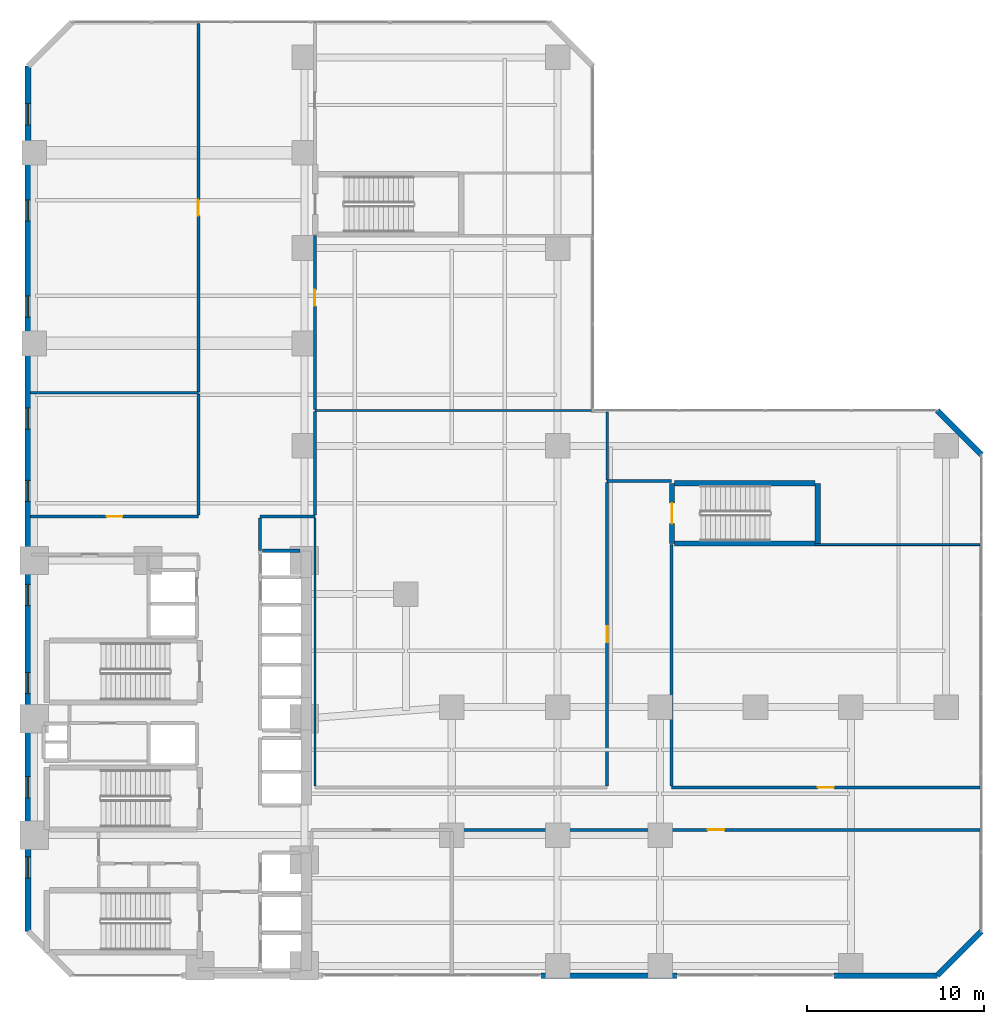
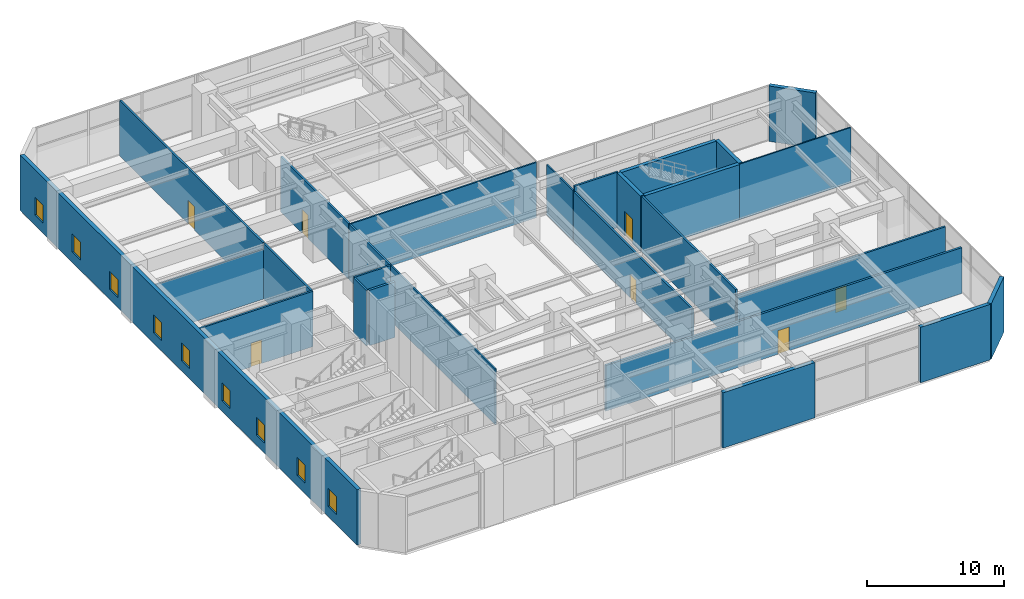
# One storey, part 23 of 29: 27 walls, 9 windows, 7 doors, 16 openings.
"""IFC4 building model written with IfcOpenShell, lengths in metres."""

from ifc_helpers import new_model, si_unit, direction, frame, frame_2d, origin, place, context, subcontext, project, spatial, rectangle, extrude, material, layer, layer_set, type_object, element, fill, save


model = new_model("IFC4")

# Units and contexts
model_context = context("Model", 3, precision=1e-05, world=origin(), true_north=direction((0.0, 1.0)))
body_context = subcontext(model_context, "Body", "Model", "MODEL_VIEW")
ifc_project = project(units=[si_unit("LENGTHUNIT", "METRE"), si_unit("AREAUNIT", "SQUARE_METRE"), si_unit("VOLUMEUNIT", "CUBIC_METRE"), si_unit("PLANEANGLEUNIT", "RADIAN"), si_unit("MASSUNIT", "GRAM", prefix="KILO")], contexts=[model_context])

# Site, building, storey
site_placement = place(None, origin())
site = spatial("IfcSite", under=ifc_project, at=site_placement, CompositionType="ELEMENT")
building_placement = place(site_placement, origin())
building = spatial("IfcBuilding", under=site, at=building_placement, Name="Mawjaban Terraces University", CompositionType="ELEMENT")
storey_placement = place(building_placement, frame((0.0, 0.0, 15.60009765625)))
storey = spatial("IfcBuildingStorey", under=building, at=storey_placement, Name="L03", CompositionType="ELEMENT", Elevation=15.60009765625)

# Wall, opening, door
ifc_material_1 = material(Name="Acoustic masonry blockwork", Category="masonry")
ifc_layer_1 = layer(ifc_material_1, 0.179931640625)
ifc_layer_set_1 = layer_set([ifc_layer_1], Name="Acoustic masonry blockwork")
wall_type_1 = type_object("IfcWallType", Name="AcousticStudioWall_180", PredefinedType="PARTITIONING", material=ifc_layer_set_1)
wall_1_placement = place(storey_placement, frame((46.0, 8.25, 0.0), z_axis=(0.0, 0.0, 1.0), x_axis=(1.0, 0.0, 0.0)))
wall_1 = element("IfcWall", 1, at=wall_1_placement, inside=storey, type_object=wall_type_1, Name="L03 Podium Academic Gallery Corridor Partition 14", PredefinedType="PARTITIONING", context=body_context, shape_type="SweptSolid", body=[
    extrude(rectangle(XDim=29.919921875, YDim=0.179931640625, at=frame_2d((14.9599609375, 0.0))), origin(), (0.0, 0.0, 1.0), 4.06494140625),
])
opening_1_placement = place(wall_1_placement, frame((14.485107421875, 0.0, 0.0)))
opening_1 = element("IfcOpeningElement", 2, at=opening_1_placement, cuts=wall_1, Name="Opening ID-095", PredefinedType="OPENING", context=body_context, shape_type="SweptSolid", body=[
    extrude(rectangle(XDim=0.949951171875, YDim=2.10009765625, at=frame_2d((0.47509765625, 1.050048828125))), frame((0.0, 0.099853515625, 0.0), z_axis=(0.0, -1.0, 0.0), x_axis=(1.0, 0.0, 0.0)), (0.0, 0.0, 1.0), 0.199951171875),
])
ifc_material_2 = material(Name="Powder-coated steel frame and solid acoustic timber leaf", Category="steel")
door_type_1 = type_object("IfcDoorType", Name="StudioDoor_950x2100", OperationType="NOTDEFINED", PredefinedType="DOOR", material=ifc_material_2)
door_1_placement = place(opening_1_placement, origin())
door_1 = element("IfcDoor", 3, at=door_1_placement, inside=storey, type_object=door_type_1, Name="L03 Instructional Media Studio Door", OperationType="SINGLE_SWING_RIGHT", OverallHeight=2.10009765625, OverallWidth=0.949951171875, PredefinedType="DOOR", context=body_context, shape_type="SweptSolid", body=[
    extrude(rectangle(XDim=0.949951171875, YDim=2.10009765625, at=frame_2d((0.47509765625, 1.050048828125))), frame((0.0, 0.02490234375, 0.0), z_axis=(0.0, -1.0, 0.0), x_axis=(1.0, 0.0, 0.0)), (0.0, 0.0, 1.0), 0.050048828125),
])
fill(opening_1, door_1)

ifc_material_3 = material(Name="Fire-rated gypsum board on steel stud", Category="steel")
ifc_layer_2 = layer(ifc_material_3, 0.159912109375)
ifc_layer_set_2 = layer_set([ifc_layer_2], Name="Fire-rated gypsum board on steel stud")
wall_type_2 = type_object("IfcWallType", Name="CorridorPartition_160", PredefinedType="PARTITIONING", material=ifc_layer_set_2)
wall_2_placement = place(storey_placement, frame((31.64990234375, 26.0, 0.0), z_axis=(0.0, 0.0, 1.0), x_axis=(-1.0, 0.0, 0.0)))
wall_2 = element("IfcWall", 4, at=wall_2_placement, inside=storey, type_object=wall_type_2, Name="L03 North Core Cross-Corridor Partition 8", PredefinedType="PARTITIONING", context=body_context, shape_type="SweptSolid", body=[
    extrude(rectangle(XDim=9.494873046875, YDim=0.159912109375, at=frame_2d((4.74755859375, 0.0))), origin(), (0.0, 0.0, 1.0), 4.919921875),
])
opening_2_placement = place(wall_2_placement, frame((4.297119140625, 0.0, 0.0)))
opening_2 = element("IfcOpeningElement", 5, at=opening_2_placement, cuts=wall_2, Name="Opening ID-090", PredefinedType="OPENING", context=body_context, shape_type="SweptSolid", body=[
    extrude(rectangle(XDim=0.89990234375, YDim=2.10009765625, at=frame_2d((0.449951171875, 1.050048828125))), frame((0.0, 0.08984375, 0.0), z_axis=(0.0, -1.0, 0.0), x_axis=(1.0, 0.0, 0.0)), (0.0, 0.0, 1.0), 0.179931640625),
])
door_type_2 = type_object("IfcDoorType", Name="OfficeDoor_900x2100", OperationType="NOTDEFINED", PredefinedType="DOOR", material=ifc_material_2)
door_2_placement = place(opening_2_placement, origin())
door_2 = element("IfcDoor", 6, at=door_2_placement, inside=storey, type_object=door_type_2, Name="L03 Central Library Bookstack Hall Door", OperationType="SINGLE_SWING_LEFT", OverallHeight=2.10009765625, OverallWidth=0.89990234375, PredefinedType="DOOR", context=body_context, shape_type="SweptSolid", body=[
    extrude(rectangle(XDim=0.89990234375, YDim=2.10009765625, at=frame_2d((0.449951171875, 1.050048828125))), frame((0.0, 0.02490234375, 0.0), z_axis=(0.0, -1.0, 0.0), x_axis=(1.0, 0.0, 0.0)), (0.0, 0.0, 1.0), 0.050048828125),
])
fill(opening_2, door_2)

# Walls
wall_3_placement = place(storey_placement, frame((35.14990234375, 26.0, 0.0), z_axis=(0.0, 0.0, 1.0), x_axis=(1.0, 0.0, 0.0)))
element("IfcWall", 7, at=wall_3_placement, inside=storey, type_object=wall_type_2, Name="L03 Podium Library Concourse Partition 11", PredefinedType="PARTITIONING", context=body_context, shape_type="SweptSolid", body=[
    extrude(rectangle(XDim=3.10009765625, YDim=0.159912109375, at=frame_2d((1.550048828125, 0.0))), origin(), (0.0, 0.0, 1.0), 4.919921875),
])
wall_4_placement = place(storey_placement, frame((58.449951171875, 28.0, 0.0), z_axis=(0.0, 0.0, 1.0), x_axis=(-1.0, 0.0, 0.0)))
element("IfcWall", 8, at=wall_4_placement, inside=storey, type_object=wall_type_2, Name="L03 East Stair Access Corridor Partition 18", PredefinedType="PARTITIONING", context=body_context, shape_type="SweptSolid", body=[
    extrude(rectangle(XDim=3.64990234375, YDim=0.159912109375, at=frame_2d((1.824951171875, 0.0))), origin(), (0.0, 0.0, 1.0), 4.919921875),
])

# Wall, opening, door
wall_5_placement = place(storey_placement, frame((75.919921875, 10.64990234375, 0.0), z_axis=(0.0, 0.0, 1.0), x_axis=(-1.0, 0.0, 0.0)))
wall_5 = element("IfcWall", 9, at=wall_5_placement, inside=storey, type_object=wall_type_2, Name="L03 Podium Academic Gallery Corridor Partition 19", PredefinedType="PARTITIONING", context=body_context, shape_type="SweptSolid", body=[
    extrude(rectangle(XDim=17.469970703125, YDim=0.159912109375, at=frame_2d((8.73486328125, 0.0))), origin(), (0.0, 0.0, 1.0), 4.450927734375),
])
opening_3_placement = place(wall_5_placement, frame((8.284912109375, 0.0, 0.0)))
opening_3 = element("IfcOpeningElement", 10, at=opening_3_placement, cuts=wall_5, Name="Opening ID-090", PredefinedType="OPENING", context=body_context, shape_type="SweptSolid", body=[
    extrude(rectangle(XDim=0.89990234375, YDim=2.10009765625, at=frame_2d((0.449951171875, 1.050048828125))), frame((0.0, 0.08984375, 0.0), z_axis=(0.0, -1.0, 0.0), x_axis=(1.0, 0.0, 0.0)), (0.0, 0.0, 1.0), 0.179931640625),
])
door_3_placement = place(opening_3_placement, origin())
door_3 = element("IfcDoor", 11, at=door_3_placement, inside=storey, type_object=door_type_2, Name="L03 Interdisciplinary Seminar Hall Door", OperationType="SINGLE_SWING_RIGHT", OverallHeight=2.10009765625, OverallWidth=0.89990234375, PredefinedType="DOOR", context=body_context, shape_type="SweptSolid", body=[
    extrude(rectangle(XDim=0.89990234375, YDim=2.10009765625, at=frame_2d((0.449951171875, 1.050048828125))), frame((0.0, 0.02490234375, 0.0), z_axis=(0.0, -1.0, 0.0), x_axis=(1.0, 0.0, 0.0)), (0.0, 0.0, 1.0), 0.050048828125),
])
fill(opening_3, door_3)

# Wall
wall_6_placement = place(storey_placement, frame((31.64990234375, 32.943115234375, 0.0), z_axis=(0.0, 0.0, 1.0), x_axis=(0.0, -1.0, 0.0)))
element("IfcWall", 12, at=wall_6_placement, inside=storey, type_object=wall_type_2, Name="L03 Podium Library Concourse Partition 28", PredefinedType="PARTITIONING", context=body_context, shape_type="SweptSolid", body=[
    extrude(rectangle(XDim=6.8681640625, YDim=0.159912109375, at=frame_2d((3.43408203125, 0.0))), origin(), (0.0, 0.0, 1.0), 4.919921875),
])

# Wall, opening, door
wall_7_placement = place(storey_placement, frame((31.64990234375, 53.909912109375, 0.0), z_axis=(0.0, 0.0, 1.0), x_axis=(0.0, -1.0, 0.0)))
wall_7 = element("IfcWall", 13, at=wall_7_placement, inside=storey, type_object=wall_type_2, Name="L03 Podium Library Concourse Partition 29", PredefinedType="PARTITIONING", context=body_context, shape_type="SweptSolid", body=[
    extrude(rectangle(XDim=20.85302734375, YDim=0.159912109375, at=frame_2d((10.426513671875, 0.0))), origin(), (0.0, 0.0, 1.0), 4.919921875),
])
opening_4_placement = place(wall_7_placement, frame((9.97607421875, 0.0, 0.0)))
opening_4 = element("IfcOpeningElement", 14, at=opening_4_placement, cuts=wall_7, Name="Opening ID-090", PredefinedType="OPENING", context=body_context, shape_type="SweptSolid", body=[
    extrude(rectangle(XDim=0.89990234375, YDim=2.10009765625, at=frame_2d((0.449951171875, 1.050048828125))), frame((0.0, 0.08984375, 0.0), z_axis=(0.0, -1.0, 0.0), x_axis=(1.0, 0.0, 0.0)), (0.0, 0.0, 1.0), 0.179931640625),
])
door_4_placement = place(opening_4_placement, origin())
door_4 = element("IfcDoor", 15, at=door_4_placement, inside=storey, type_object=door_type_2, Name="L03 Library Cataloguing and Faculty Office Door", OperationType="SINGLE_SWING_RIGHT", OverallHeight=2.10009765625, OverallWidth=0.89990234375, PredefinedType="DOOR", context=body_context, shape_type="SweptSolid", body=[
    extrude(rectangle(XDim=0.89990234375, YDim=2.10009765625, at=frame_2d((0.449951171875, 1.050048828125))), frame((0.0, 0.02490234375, 0.0), z_axis=(0.0, -1.0, 0.0), x_axis=(1.0, 0.0, 0.0)), (0.0, 0.0, 1.0), 0.050048828125),
])
fill(opening_4, door_4)

# Walls
wall_8_placement = place(storey_placement, frame((35.14990234375, 24.070068359375, 0.0), z_axis=(0.0, 0.0, 1.0), x_axis=(0.0, 1.0, 0.0)))
element("IfcWall", 16, at=wall_8_placement, inside=storey, type_object=wall_type_2, Name="L03 North Core Cross-Corridor Partition 30", PredefinedType="PARTITIONING", context=body_context, shape_type="SweptSolid", body=[
    extrude(rectangle(XDim=1.85498046875, YDim=0.159912109375, at=frame_2d((0.927490234375, 0.0))), origin(), (0.0, 0.0, 1.0), 4.919921875),
])
wall_9_placement = place(storey_placement, frame((38.25, 26.074951171875, 0.0), z_axis=(0.0, 0.0, 1.0), x_axis=(0.0, 1.0, 0.0)))
element("IfcWall", 17, at=wall_9_placement, inside=storey, type_object=wall_type_2, Name="L03 Podium Library Concourse Partition 33", PredefinedType="PARTITIONING", context=body_context, shape_type="SweptSolid", body=[
    extrude(rectangle(XDim=5.866943359375, YDim=0.159912109375, at=frame_2d((2.93359375, 0.0))), origin(), (0.0, 0.0, 1.0), 4.919921875),
])

# Wall, opening, door
wall_10_placement = place(storey_placement, frame((38.25, 32.056884765625, 0.0), z_axis=(0.0, 0.0, 1.0), x_axis=(0.0, 1.0, 0.0)))
wall_10 = element("IfcWall", 18, at=wall_10_placement, inside=storey, type_object=wall_type_2, Name="L03 Podium Library Concourse Partition 34", PredefinedType="PARTITIONING", context=body_context, shape_type="SweptSolid", body=[
    extrude(rectangle(XDim=9.843017578125, YDim=0.159912109375, at=frame_2d((4.92138671875, 0.0))), origin(), (0.0, 0.0, 1.0), 4.919921875),
])
opening_5_placement = place(wall_10_placement, frame((5.87109375, 0.0, 0.0)))
opening_5 = element("IfcOpeningElement", 19, at=opening_5_placement, cuts=wall_10, Name="Opening ID-090", PredefinedType="OPENING", context=body_context, shape_type="SweptSolid", body=[
    extrude(rectangle(XDim=0.89990234375, YDim=2.10009765625, at=frame_2d((0.449951171875, 1.050048828125))), frame((0.0, 0.08984375, 0.0), z_axis=(0.0, -1.0, 0.0), x_axis=(1.0, 0.0, 0.0)), (0.0, 0.0, 1.0), 0.179931640625),
])
door_5_placement = place(opening_5_placement, origin())
door_5 = element("IfcDoor", 20, at=door_5_placement, inside=storey, type_object=door_type_2, Name="L03 Digital Scholarship Reading Hall Door", OperationType="SINGLE_SWING_LEFT", OverallHeight=2.10009765625, OverallWidth=0.89990234375, PredefinedType="DOOR", context=body_context, shape_type="SweptSolid", body=[
    extrude(rectangle(XDim=0.89990234375, YDim=2.10009765625, at=frame_2d((0.449951171875, 1.050048828125))), frame((0.0, 0.02490234375, 0.0), z_axis=(0.0, -1.0, 0.0), x_axis=(1.0, 0.0, 0.0)), (0.0, 0.0, 1.0), 0.050048828125),
])
fill(opening_5, door_5)

wall_11_placement = place(storey_placement, frame((54.800048828125, 27.925048828125, 0.0), z_axis=(0.0, 0.0, 1.0), x_axis=(0.0, -1.0, 0.0)))
wall_11 = element("IfcWall", 21, at=wall_11_placement, inside=storey, type_object=wall_type_2, Name="L03 East Stair Access Corridor Partition 38", PredefinedType="PARTITIONING", context=body_context, shape_type="SweptSolid", body=[
    extrude(rectangle(XDim=17.199951171875, YDim=0.159912109375, at=frame_2d((8.60009765625, 0.0))), origin(), (0.0, 0.0, 1.0), 4.450927734375),
])
opening_6_placement = place(wall_11_placement, frame((8.14990234375, 0.0, 0.0)))
opening_6 = element("IfcOpeningElement", 22, at=opening_6_placement, cuts=wall_11, Name="Opening ID-090", PredefinedType="OPENING", context=body_context, shape_type="SweptSolid", body=[
    extrude(rectangle(XDim=0.89990234375, YDim=2.10009765625, at=frame_2d((0.449951171875, 1.050048828125))), frame((0.0, 0.08984375, 0.0), z_axis=(0.0, -1.0, 0.0), x_axis=(1.0, 0.0, 0.0)), (0.0, 0.0, 1.0), 0.179931640625),
])
door_6_placement = place(opening_6_placement, origin())
door_6 = element("IfcDoor", 23, at=door_6_placement, inside=storey, type_object=door_type_2, Name="L03 Central Library Main Reading Hall Door", OperationType="SINGLE_SWING_LEFT", OverallHeight=2.10009765625, OverallWidth=0.89990234375, PredefinedType="DOOR", context=body_context, shape_type="SweptSolid", body=[
    extrude(rectangle(XDim=0.89990234375, YDim=2.10009765625, at=frame_2d((0.449951171875, 1.050048828125))), frame((0.0, 0.02490234375, 0.0), z_axis=(0.0, -1.0, 0.0), x_axis=(1.0, 0.0, 0.0)), (0.0, 0.0, 1.0), 0.050048828125),
])
fill(opening_6, door_6)

# Walls
wall_12_placement = place(storey_placement, frame((58.449951171875, 10.72509765625, 0.0), z_axis=(0.0, 0.0, 1.0), x_axis=(0.0, 1.0, 0.0)))
element("IfcWall", 24, at=wall_12_placement, inside=storey, type_object=wall_type_2, Name="L03 East Stair Access Corridor Partition 39", PredefinedType="PARTITIONING", context=body_context, shape_type="SweptSolid", body=[
    extrude(rectangle(XDim=13.6748046875, YDim=0.159912109375, at=frame_2d((6.83740234375, 0.0))), origin(), (0.0, 0.0, 1.0), 4.919921875),
])
ifc_material_4 = material(Name="Insulated terracotta rainscreen on concrete backup C40/50", Category="masonry")
ifc_layer_3 = layer(ifc_material_4, 0.320068359375)
ifc_layer_set_3 = layer_set([ifc_layer_3], Name="Insulated terracotta rainscreen on concrete backup C40/50")
wall_type_3 = type_object("IfcWallType", Name="ExtTerracottaWall_320", PredefinedType="SOLIDWALL", material=ifc_layer_set_3)
wall_13_placement = place(storey_placement, frame((51.050048828125, 0.0, 0.0), z_axis=(0.0, 0.0, 1.0), x_axis=(1.0, 0.0, 0.0)))
element("IfcWall", 25, at=wall_13_placement, inside=storey, type_object=wall_type_3, Name="L03 Exterior Terracotta Pier Wall 1.2", PredefinedType="SOLIDWALL", context=body_context, shape_type="SweptSolid", body=[
    extrude(rectangle(XDim=7.699951171875, YDim=0.320068359375, at=frame_2d((3.85009765625, 0.0))), origin(), (0.0, 0.0, 1.0), 4.919921875),
])
wall_14_placement = place(storey_placement, frame((67.64990234375, 0.0, 0.0), z_axis=(0.0, 0.0, 1.0), x_axis=(1.0, 0.0, 0.0)))
element("IfcWall", 26, at=wall_14_placement, inside=storey, type_object=wall_type_3, Name="L03 Exterior Terracotta Pier Wall 1.3", PredefinedType="SOLIDWALL", context=body_context, shape_type="SweptSolid", body=[
    extrude(rectangle(XDim=5.85009765625, YDim=0.320068359375, at=frame_2d((2.925048828125, 0.0))), origin(), (0.0, 0.0, 1.0), 4.919921875),
])
for number, where, z_axis, x_axis, name in (
    (27, (73.5, 0.0, 0.0), (0.0, 0.0, 1.0), (0.707106781187, 0.707106781187, 0.0), "L03 Exterior Terracotta Wall 2"),
    (28, (76.0, 29.5, 0.0), (0.0, 0.0, 1.0), (-0.707106781187, 0.707106781187, 0.0), "L03 Exterior Terracotta Wall 4"),
):
    element("IfcWall", number, at=place(storey_placement, frame(where, z_axis=z_axis, x_axis=x_axis)), inside=storey, type_object=wall_type_3, Name=name, PredefinedType="SOLIDWALL", context=body_context, shape_type="SweptSolid", body=[
        extrude(rectangle(XDim=3.53564453125, YDim=0.320068359375, at=frame_2d((1.767822265625, 0.0))), origin(), (0.0, 0.0, 1.0), 4.919921875),
    ])

# Wall, openings, windows
wall_15_placement = place(storey_placement, frame((22.0, 51.5, 0.0), z_axis=(0.0, 0.0, 1.0), x_axis=(0.0, -1.0, 0.0)))
wall_15 = element("IfcWall", 29, at=wall_15_placement, inside=storey, type_object=wall_type_3, Name="L03 Exterior Terracotta Wall 10", PredefinedType="SOLIDWALL", context=body_context, shape_type="SweptSolid", body=[
    extrude(rectangle(XDim=49.0, YDim=0.320068359375, at=frame_2d((24.5, 0.0))), origin(), (0.0, 0.0, 1.0), 4.919921875),
])
opening_7_placement = place(wall_15_placement, frame((2.1220703125, 0.0, 0.89990234375)))
opening_7 = element("IfcOpeningElement", 30, at=opening_7_placement, cuts=wall_15, Name="Opening W-01", PredefinedType="OPENING", context=body_context, shape_type="SweptSolid", body=[
    extrude(rectangle(XDim=1.199951171875, YDim=1.60009765625, at=frame_2d((0.60009765625, 0.800048828125))), frame((0.0, 0.169921875, 0.0), z_axis=(0.0, -1.0, 0.0), x_axis=(1.0, 0.0, 0.0)), (0.0, 0.0, 1.0), 0.340087890625),
])
opening_8_placement = place(wall_15_placement, frame((7.56689453125, 0.0, 0.89990234375)))
opening_8 = element("IfcOpeningElement", 31, at=opening_8_placement, cuts=wall_15, Name="Opening W-01", PredefinedType="OPENING", context=body_context, shape_type="SweptSolid", body=[
    extrude(rectangle(XDim=1.199951171875, YDim=1.60009765625, at=frame_2d((0.60009765625, 0.800048828125))), frame((0.0, 0.169921875, 0.0), z_axis=(0.0, -1.0, 0.0), x_axis=(1.0, 0.0, 0.0)), (0.0, 0.0, 1.0), 0.340087890625),
])
opening_9_placement = place(wall_15_placement, frame((13.010986328125, 0.0, 0.89990234375)))
opening_9 = element("IfcOpeningElement", 32, at=opening_9_placement, cuts=wall_15, Name="Opening W-01", PredefinedType="OPENING", context=body_context, shape_type="SweptSolid", body=[
    extrude(rectangle(XDim=1.199951171875, YDim=1.60009765625, at=frame_2d((0.60009765625, 0.800048828125))), frame((0.0, 0.169921875, 0.0), z_axis=(0.0, -1.0, 0.0), x_axis=(1.0, 0.0, 0.0)), (0.0, 0.0, 1.0), 0.340087890625),
])
opening_10_placement = place(wall_15_placement, frame((19.35595703125, 0.0, 0.89990234375)))
opening_10 = element("IfcOpeningElement", 33, at=opening_10_placement, cuts=wall_15, Name="Opening W-01", PredefinedType="OPENING", context=body_context, shape_type="SweptSolid", body=[
    extrude(rectangle(XDim=1.199951171875, YDim=1.60009765625, at=frame_2d((0.60009765625, 0.800048828125))), frame((0.0, 0.169921875, 0.0), z_axis=(0.0, -1.0, 0.0), x_axis=(1.0, 0.0, 0.0)), (0.0, 0.0, 1.0), 0.340087890625),
])
opening_11_placement = place(wall_15_placement, frame((23.449951171875, 0.0, 0.89990234375)))
opening_11 = element("IfcOpeningElement", 34, at=opening_11_placement, cuts=wall_15, Name="Opening W-01", PredefinedType="OPENING", context=body_context, shape_type="SweptSolid", body=[
    extrude(rectangle(XDim=1.199951171875, YDim=1.60009765625, at=frame_2d((0.60009765625, 0.800048828125))), frame((0.0, 0.169921875, 0.0), z_axis=(0.0, -1.0, 0.0), x_axis=(1.0, 0.0, 0.0)), (0.0, 0.0, 1.0), 0.340087890625),
])
opening_12_placement = place(wall_15_placement, frame((29.343994140625, 0.0, 0.89990234375)))
opening_12 = element("IfcOpeningElement", 35, at=opening_12_placement, cuts=wall_15, Name="Opening W-01", PredefinedType="OPENING", context=body_context, shape_type="SweptSolid", body=[
    extrude(rectangle(XDim=1.199951171875, YDim=1.60009765625, at=frame_2d((0.60009765625, 0.800048828125))), frame((0.0, 0.169921875, 0.0), z_axis=(0.0, -1.0, 0.0), x_axis=(1.0, 0.0, 0.0)), (0.0, 0.0, 1.0), 0.340087890625),
])
opening_13_placement = place(wall_15_placement, frame((34.339111328125, 0.0, 0.89990234375)))
opening_13 = element("IfcOpeningElement", 36, at=opening_13_placement, cuts=wall_15, Name="Opening W-01", PredefinedType="OPENING", context=body_context, shape_type="SweptSolid", body=[
    extrude(rectangle(XDim=1.199951171875, YDim=1.60009765625, at=frame_2d((0.60009765625, 0.800048828125))), frame((0.0, 0.169921875, 0.0), z_axis=(0.0, -1.0, 0.0), x_axis=(1.0, 0.0, 0.0)), (0.0, 0.0, 1.0), 0.340087890625),
])
opening_14_placement = place(wall_15_placement, frame((40.23291015625, 0.0, 0.89990234375)))
opening_14 = element("IfcOpeningElement", 37, at=opening_14_placement, cuts=wall_15, Name="Opening W-01", PredefinedType="OPENING", context=body_context, shape_type="SweptSolid", body=[
    extrude(rectangle(XDim=1.199951171875, YDim=1.60009765625, at=frame_2d((0.60009765625, 0.800048828125))), frame((0.0, 0.169921875, 0.0), z_axis=(0.0, -1.0, 0.0), x_axis=(1.0, 0.0, 0.0)), (0.0, 0.0, 1.0), 0.340087890625),
])
opening_15_placement = place(wall_15_placement, frame((44.778076171875, 0.0, 0.89990234375)))
opening_15 = element("IfcOpeningElement", 38, at=opening_15_placement, cuts=wall_15, Name="Opening W-01", PredefinedType="OPENING", context=body_context, shape_type="SweptSolid", body=[
    extrude(rectangle(XDim=1.199951171875, YDim=1.60009765625, at=frame_2d((0.60009765625, 0.800048828125))), frame((0.0, 0.169921875, 0.0), z_axis=(0.0, -1.0, 0.0), x_axis=(1.0, 0.0, 0.0)), (0.0, 0.0, 1.0), 0.340087890625),
])
ifc_material_5 = material(Name="Low-E solar-control double glazing in thermally broken aluminium frame", Category="aluminium")
window_type = type_object("IfcWindowType", Name="Win_1200x1600", PartitioningType="SINGLE_PANEL", PredefinedType="WINDOW", material=ifc_material_5)
window_1_placement = place(opening_7_placement, origin())
window_1 = element("IfcWindow", 39, at=window_1_placement, inside=storey, type_object=window_type, Name="L03 Facade Window 10.1", OverallHeight=1.60009765625, OverallWidth=1.199951171875, PartitioningType="SINGLE_PANEL", PredefinedType="WINDOW", context=body_context, shape_type="SweptSolid", body=[
    extrude(rectangle(XDim=1.199951171875, YDim=1.60009765625, at=frame_2d((0.60009765625, 0.800048828125))), frame((0.0, 0.030029296875, 0.0), z_axis=(0.0, -1.0, 0.0), x_axis=(1.0, 0.0, 0.0)), (0.0, 0.0, 1.0), 0.06005859375),
])
fill(opening_7, window_1)
window_2_placement = place(opening_8_placement, origin())
window_2 = element("IfcWindow", 40, at=window_2_placement, inside=storey, type_object=window_type, Name="L03 Facade Window 10.2", OverallHeight=1.60009765625, OverallWidth=1.199951171875, PartitioningType="SINGLE_PANEL", PredefinedType="WINDOW", context=body_context, shape_type="SweptSolid", body=[
    extrude(rectangle(XDim=1.199951171875, YDim=1.60009765625, at=frame_2d((0.60009765625, 0.800048828125))), frame((0.0, 0.030029296875, 0.0), z_axis=(0.0, -1.0, 0.0), x_axis=(1.0, 0.0, 0.0)), (0.0, 0.0, 1.0), 0.06005859375),
])
fill(opening_8, window_2)
window_3_placement = place(opening_9_placement, origin())
window_3 = element("IfcWindow", 41, at=window_3_placement, inside=storey, type_object=window_type, Name="L03 Facade Window 10.3", OverallHeight=1.60009765625, OverallWidth=1.199951171875, PartitioningType="SINGLE_PANEL", PredefinedType="WINDOW", context=body_context, shape_type="SweptSolid", body=[
    extrude(rectangle(XDim=1.199951171875, YDim=1.60009765625, at=frame_2d((0.60009765625, 0.800048828125))), frame((0.0, 0.030029296875, 0.0), z_axis=(0.0, -1.0, 0.0), x_axis=(1.0, 0.0, 0.0)), (0.0, 0.0, 1.0), 0.06005859375),
])
fill(opening_9, window_3)
window_4_placement = place(opening_10_placement, origin())
window_4 = element("IfcWindow", 42, at=window_4_placement, inside=storey, type_object=window_type, Name="L03 Facade Window 10.4", OverallHeight=1.60009765625, OverallWidth=1.199951171875, PartitioningType="SINGLE_PANEL", PredefinedType="WINDOW", context=body_context, shape_type="SweptSolid", body=[
    extrude(rectangle(XDim=1.199951171875, YDim=1.60009765625, at=frame_2d((0.60009765625, 0.800048828125))), frame((0.0, 0.030029296875, 0.0), z_axis=(0.0, -1.0, 0.0), x_axis=(1.0, 0.0, 0.0)), (0.0, 0.0, 1.0), 0.06005859375),
])
fill(opening_10, window_4)
window_5_placement = place(opening_11_placement, origin())
window_5 = element("IfcWindow", 43, at=window_5_placement, inside=storey, type_object=window_type, Name="L03 Facade Window 10.5", OverallHeight=1.60009765625, OverallWidth=1.199951171875, PartitioningType="SINGLE_PANEL", PredefinedType="WINDOW", context=body_context, shape_type="SweptSolid", body=[
    extrude(rectangle(XDim=1.199951171875, YDim=1.60009765625, at=frame_2d((0.60009765625, 0.800048828125))), frame((0.0, 0.030029296875, 0.0), z_axis=(0.0, -1.0, 0.0), x_axis=(1.0, 0.0, 0.0)), (0.0, 0.0, 1.0), 0.06005859375),
])
fill(opening_11, window_5)
window_6_placement = place(opening_12_placement, origin())
window_6 = element("IfcWindow", 44, at=window_6_placement, inside=storey, type_object=window_type, Name="L03 Facade Window 10.6", OverallHeight=1.60009765625, OverallWidth=1.199951171875, PartitioningType="SINGLE_PANEL", PredefinedType="WINDOW", context=body_context, shape_type="SweptSolid", body=[
    extrude(rectangle(XDim=1.199951171875, YDim=1.60009765625, at=frame_2d((0.60009765625, 0.800048828125))), frame((0.0, 0.030029296875, 0.0), z_axis=(0.0, -1.0, 0.0), x_axis=(1.0, 0.0, 0.0)), (0.0, 0.0, 1.0), 0.06005859375),
])
fill(opening_12, window_6)
window_7_placement = place(opening_13_placement, origin())
window_7 = element("IfcWindow", 45, at=window_7_placement, inside=storey, type_object=window_type, Name="L03 Facade Window 10.7", OverallHeight=1.60009765625, OverallWidth=1.199951171875, PartitioningType="SINGLE_PANEL", PredefinedType="WINDOW", context=body_context, shape_type="SweptSolid", body=[
    extrude(rectangle(XDim=1.199951171875, YDim=1.60009765625, at=frame_2d((0.60009765625, 0.800048828125))), frame((0.0, 0.030029296875, 0.0), z_axis=(0.0, -1.0, 0.0), x_axis=(1.0, 0.0, 0.0)), (0.0, 0.0, 1.0), 0.06005859375),
])
fill(opening_13, window_7)
window_8_placement = place(opening_14_placement, origin())
window_8 = element("IfcWindow", 46, at=window_8_placement, inside=storey, type_object=window_type, Name="L03 Facade Window 10.8", OverallHeight=1.60009765625, OverallWidth=1.199951171875, PartitioningType="SINGLE_PANEL", PredefinedType="WINDOW", context=body_context, shape_type="SweptSolid", body=[
    extrude(rectangle(XDim=1.199951171875, YDim=1.60009765625, at=frame_2d((0.60009765625, 0.800048828125))), frame((0.0, 0.030029296875, 0.0), z_axis=(0.0, -1.0, 0.0), x_axis=(1.0, 0.0, 0.0)), (0.0, 0.0, 1.0), 0.06005859375),
])
fill(opening_14, window_8)
window_9_placement = place(opening_15_placement, origin())
window_9 = element("IfcWindow", 47, at=window_9_placement, inside=storey, type_object=window_type, Name="L03 Facade Window 10.9", OverallHeight=1.60009765625, OverallWidth=1.199951171875, PartitioningType="SINGLE_PANEL", PredefinedType="WINDOW", context=body_context, shape_type="SweptSolid", body=[
    extrude(rectangle(XDim=1.199951171875, YDim=1.60009765625, at=frame_2d((0.60009765625, 0.800048828125))), frame((0.0, 0.030029296875, 0.0), z_axis=(0.0, -1.0, 0.0), x_axis=(1.0, 0.0, 0.0)), (0.0, 0.0, 1.0), 0.06005859375),
])
fill(opening_15, window_9)

# Walls
ifc_material_6 = material(Name="Concrete C40/50", Category="concrete")
ifc_layer_4 = layer(ifc_material_6, 0.199951171875)
ifc_layer_set_4 = layer_set([ifc_layer_4], Name="Concrete C40/50")
wall_type_4 = type_object("IfcWallType", Name="FireLobbyWall_200", PredefinedType="SOLIDWALL", material=ifc_layer_set_4)
wall_16_placement = place(storey_placement, frame((37.419921875, 24.050048828125, 0.0), z_axis=(0.0, 0.0, 1.0), x_axis=(-1.0, 0.0, 0.0)))
element("IfcWall", 48, at=wall_16_placement, inside=storey, type_object=wall_type_4, Name="L03 Lift PL-L2 Hoistway Wall North", PredefinedType="SOLIDWALL", context=body_context, shape_type="SweptSolid", body=[
    extrude(rectangle(XDim=2.139892578125, YDim=0.199951171875, at=frame_2d((1.06982421875, 0.0))), origin(), (0.0, 0.0, 1.0), 4.919921875),
])
ifc_material_7 = material(Name="Gypsum plasterboard on steel stud", Category="steel")
ifc_layer_5 = layer(ifc_material_7, 0.125)
ifc_layer_set_5 = layer_set([ifc_layer_5], Name="Gypsum plasterboard on steel stud")
wall_type_5 = type_object("IfcWallType", Name="OfficePartition_125", PredefinedType="PARTITIONING", material=ifc_layer_set_5)
wall_17_placement = place(storey_placement, frame((31.64990234375, 33.0, 0.0), z_axis=(0.0, 0.0, 1.0), x_axis=(-1.0, 0.0, 0.0)))
element("IfcWall", 49, at=wall_17_placement, inside=storey, type_object=wall_type_5, Name="L03 Central Library Bookstack Hall Partition 9", PredefinedType="PARTITIONING", context=body_context, shape_type="SweptSolid", body=[
    extrude(rectangle(XDim=9.494873046875, YDim=0.125, at=frame_2d((4.74755859375, 0.0))), origin(), (0.0, 0.0, 1.0), 4.450927734375),
])
wall_18_placement = place(storey_placement, frame((38.25, 32.0, 0.0), z_axis=(0.0, 0.0, 1.0), x_axis=(1.0, 0.0, 0.0)))
element("IfcWall", 50, at=wall_18_placement, inside=storey, type_object=wall_type_5, Name="L03 Digital Scholarship Reading Hall Partition 13", PredefinedType="PARTITIONING", context=body_context, shape_type="SweptSolid", body=[
    extrude(rectangle(XDim=15.659912109375, YDim=0.125, at=frame_2d((7.830078125, 0.0))), origin(), (0.0, 0.0, 1.0), 4.919921875),
])
wall_19_placement = place(storey_placement, frame((38.25, 25.925048828125, 0.0), z_axis=(0.0, 0.0, 1.0), x_axis=(0.0, -1.0, 0.0)))
element("IfcWall", 51, at=wall_19_placement, inside=storey, type_object=wall_type_5, Name="L03 Central Library Main Reading Hall Partition 32", PredefinedType="PARTITIONING", context=body_context, shape_type="SweptSolid", body=[
    extrude(rectangle(XDim=15.199951171875, YDim=0.125, at=frame_2d((7.60009765625, 0.0))), origin(), (0.0, 0.0, 1.0), 4.919921875),
])
wall_20_placement = place(storey_placement, frame((54.800048828125, 28.074951171875, 0.0), z_axis=(0.0, 0.0, 1.0), x_axis=(0.0, 1.0, 0.0)))
element("IfcWall", 52, at=wall_20_placement, inside=storey, type_object=wall_type_5, Name="L03 Central Library Main Reading Hall Partition 37", PredefinedType="PARTITIONING", context=body_context, shape_type="SweptSolid", body=[
    extrude(rectangle(XDim=3.8349609375, YDim=0.125, at=frame_2d((1.91748046875, 0.0))), origin(), (0.0, 0.0, 1.0), 4.450927734375),
])
ifc_material_8 = material(Name="Acoustic operable panel partition", Category="masonry")
ifc_layer_6 = layer(ifc_material_8, 0.110107421875)
ifc_layer_set_6 = layer_set([ifc_layer_6], Name="Acoustic operable panel partition")
wall_type_6 = type_object("IfcWallType", Name="OperableSeminarWall_110", PredefinedType="MOVABLE", material=ifc_layer_set_6)
wall_21_placement = place(storey_placement, frame((75.919921875, 24.39990234375, 0.0), z_axis=(0.0, 0.0, 1.0), x_axis=(-1.0, 0.0, 0.0)))
element("IfcWall", 53, at=wall_21_placement, inside=storey, type_object=wall_type_6, Name="L03 Interdisciplinary Seminar Hall Partition 20", PredefinedType="MOVABLE", context=body_context, shape_type="SweptSolid", body=[
    extrude(rectangle(XDim=9.33984375, YDim=0.110107421875, at=frame_2d((4.669921875, 0.0))), origin(), (0.0, 0.0, 1.0), 4.919921875),
])
ifc_material_9 = material(Name="Concrete C60/75", Category="concrete")
ifc_layer_7 = layer(ifc_material_9, 0.300048828125)
ifc_layer_set_7 = layer_set([ifc_layer_7], Name="Concrete C60/75")
wall_type_7 = type_object("IfcWallType", Name="StairShaftWall_300", PredefinedType="SHEAR", material=ifc_layer_set_7)
wall_22_placement = place(storey_placement, frame((58.6201171875, 24.469970703125, 0.0), z_axis=(0.0, 0.0, 1.0), x_axis=(1.0, 0.0, 0.0)))
element("IfcWall", 54, at=wall_22_placement, inside=storey, type_object=wall_type_7, Name="L03 ST-5 Stair Shaft Wall 1", PredefinedType="SHEAR", context=body_context, shape_type="SweptSolid", body=[
    extrude(rectangle(XDim=7.9599609375, YDim=0.300048828125, at=frame_2d((3.97998046875, 0.0))), origin(), (0.0, 0.0, 1.0), 4.919921875),
])
wall_23_placement = place(storey_placement, frame((66.72998046875, 24.469970703125, 0.0), z_axis=(0.0, 0.0, 1.0), x_axis=(0.0, 1.0, 0.0)))
element("IfcWall", 55, at=wall_23_placement, inside=storey, type_object=wall_type_7, Name="L03 ST-5 Stair Shaft Wall 2", PredefinedType="SHEAR", context=body_context, shape_type="SweptSolid", body=[
    extrude(rectangle(XDim=3.409912109375, YDim=0.300048828125, at=frame_2d((1.705078125, 0.0))), origin(), (0.0, 0.0, 1.0), 4.919921875),
])
wall_24_placement = place(storey_placement, frame((66.580078125, 27.8798828125, 0.0), z_axis=(0.0, 0.0, 1.0), x_axis=(-1.0, 0.0, 0.0)))
element("IfcWall", 56, at=wall_24_placement, inside=storey, type_object=wall_type_7, Name="L03 ST-5 Stair Shaft Wall 3", PredefinedType="SHEAR", context=body_context, shape_type="SweptSolid", body=[
    extrude(rectangle(XDim=7.9599609375, YDim=0.300048828125, at=frame_2d((3.97998046875, 0.0))), origin(), (0.0, 0.0, 1.0), 4.919921875),
])

# Wall, opening, door
wall_25_placement = place(storey_placement, frame((58.469970703125, 27.8798828125, 0.0), z_axis=(0.0, 0.0, 1.0), x_axis=(0.0, -1.0, 0.0)))
wall_25 = element("IfcWall", 57, at=wall_25_placement, inside=storey, type_object=wall_type_7, Name="L03 ST-5 Stair Shaft Wall 4", PredefinedType="SHEAR", context=body_context, shape_type="SweptSolid", body=[
    extrude(rectangle(XDim=3.409912109375, YDim=0.300048828125, at=frame_2d((1.705078125, 0.0))), origin(), (0.0, 0.0, 1.0), 4.919921875),
])
opening_16_placement = place(wall_25_placement, frame((1.1298828125, 0.0, 0.0)))
opening_16 = element("IfcOpeningElement", 58, at=opening_16_placement, cuts=wall_25, Name="Opening FD-115", PredefinedType="OPENING", context=body_context, shape_type="SweptSolid", body=[
    extrude(rectangle(XDim=1.14990234375, YDim=2.14990234375, at=frame_2d((0.574951171875, 1.074951171875))), frame((0.0, 0.159912109375, 0.0), z_axis=(0.0, -1.0, 0.0), x_axis=(1.0, 0.0, 0.0)), (0.0, 0.0, 1.0), 0.320068359375),
])
ifc_material_10 = material(Name="Powder-coated steel frame and fire-rated steel-faced leaf", Category="steel")
door_type_3 = type_object("IfcDoorType", Name="FireStairDoor_1150x2150", OperationType="NOTDEFINED", PredefinedType="DOOR", material=ifc_material_10)
door_7_placement = place(opening_16_placement, origin())
door_7 = element("IfcDoor", 59, at=door_7_placement, inside=storey, type_object=door_type_3, Name="L03 ST-5 Pressurised Stair Fire Door", OperationType="SINGLE_SWING_RIGHT", OverallHeight=2.14990234375, OverallWidth=1.14990234375, PredefinedType="DOOR", context=body_context, shape_type="SweptSolid", body=[
    extrude(rectangle(XDim=1.14990234375, YDim=2.14990234375, at=frame_2d((0.574951171875, 1.074951171875))), frame((0.0, 0.02490234375, 0.0), z_axis=(0.0, -1.0, 0.0), x_axis=(1.0, 0.0, 0.0)), (0.0, 0.0, 1.0), 0.050048828125),
])
fill(opening_16, door_7)

save(model, "model.ifc")
